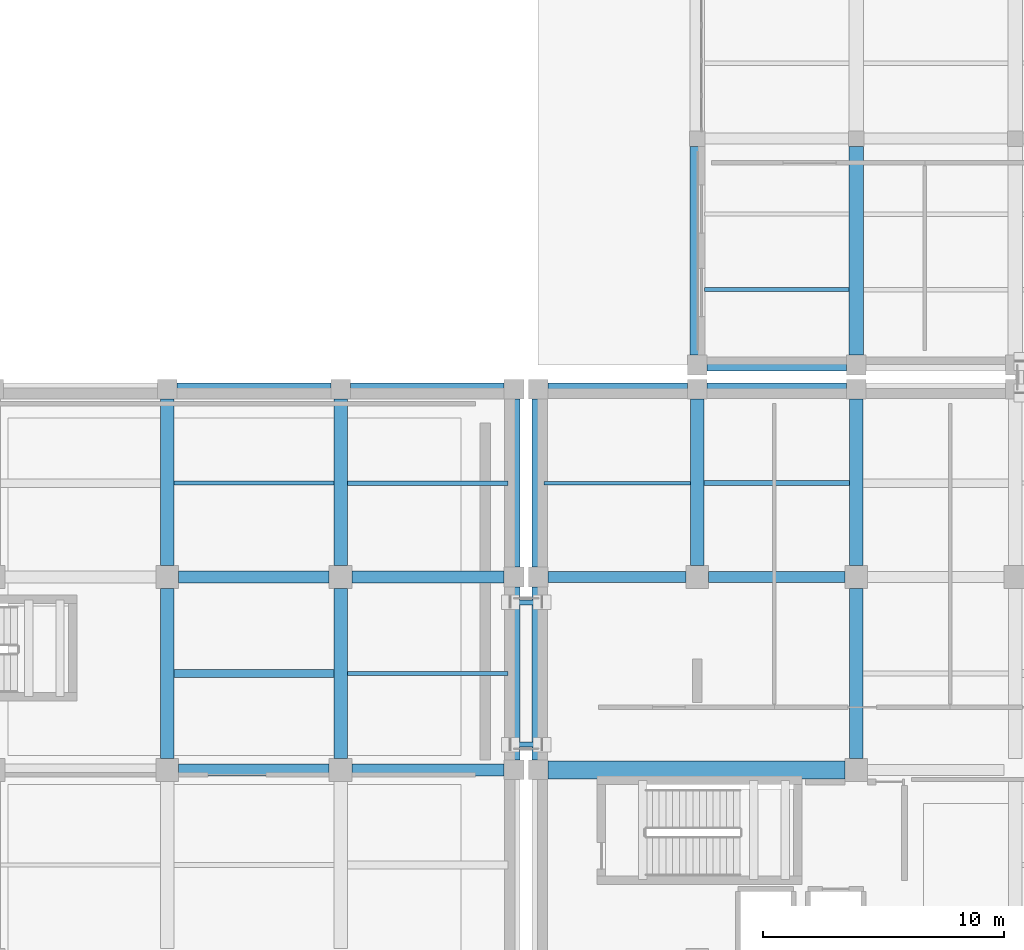
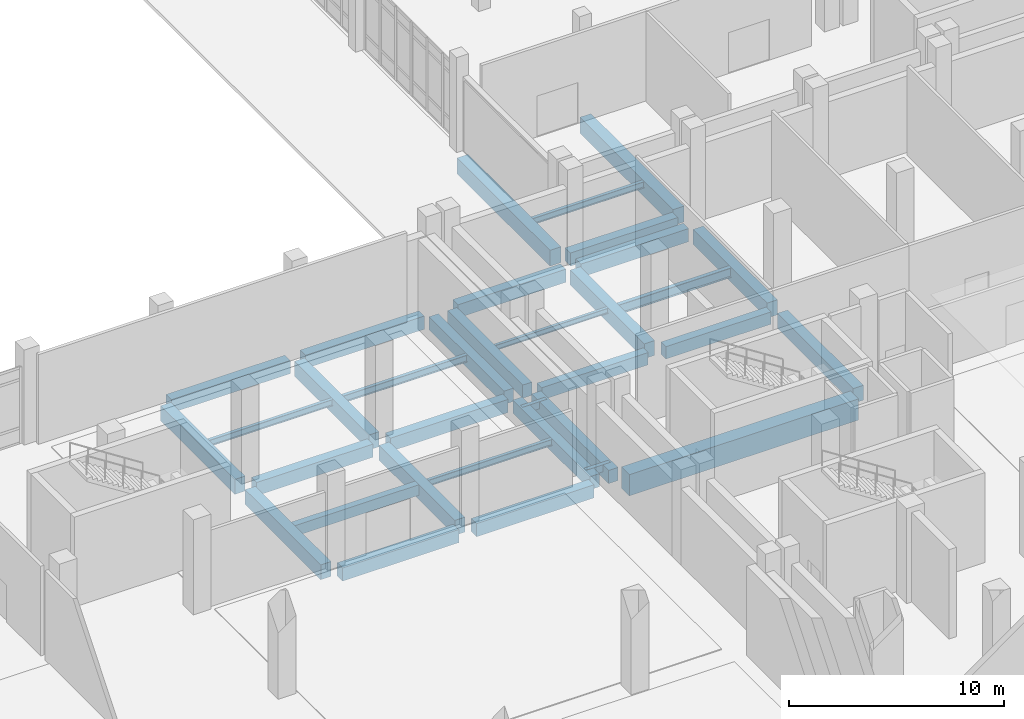
# One storey, part 26 of 79: 34 beams.
"""IFC4 building model written with IfcOpenShell, lengths in metres."""

from ifc_helpers import new_model, si_unit, direction, frame, origin, origin_2d, place, context, subcontext, project, spatial, rectangle, hollow_rectangle, i_section, extrude, material, material_profile, profile_set, type_object, element, save


model = new_model("IFC4")

# Units and contexts
model_context = context("Model", 3, precision=1e-05, world=origin(), true_north=direction((0.0, 1.0)))
body_context = subcontext(model_context, "Body", "Model", "MODEL_VIEW")
ifc_project = project(units=[si_unit("LENGTHUNIT", "METRE"), si_unit("AREAUNIT", "SQUARE_METRE"), si_unit("VOLUMEUNIT", "CUBIC_METRE"), si_unit("PLANEANGLEUNIT", "RADIAN"), si_unit("MASSUNIT", "GRAM", prefix="KILO")], contexts=[model_context])

# Site, building, storey
site_placement = place(None, origin())
site = spatial("IfcSite", under=ifc_project, at=site_placement, CompositionType="ELEMENT")
building_placement = place(site_placement, origin())
building = spatial("IfcBuilding", under=site, at=building_placement, Name="Kelarvand Opera House", CompositionType="ELEMENT")
storey_placement = place(building_placement, origin())
storey = spatial("IfcBuildingStorey", under=building, at=storey_placement, Name="L00", CompositionType="ELEMENT", Elevation=0.0)

# Beams
ifc_material_1 = material(Name="Concrete C35/45", Category="concrete")
ifc_material_profile_1 = material_profile(ifc_material_1, rectangle(XDim=0.35009765625, YDim=0.60009765625, at=origin_2d()), Name="RC 350x600", Category="concrete")
ifc_profile_set_1 = profile_set([ifc_material_profile_1], Name="Concrete C35/45")
beam_type_1 = type_object("IfcBeamType", Name="Structural Beam RC 350x600 BM-RC350x600", PredefinedType="BEAM", material=ifc_profile_set_1)
beam_1_placement = place(storey_placement, frame((73.875, 74.39990234375, -0.6201171875), z_axis=(1.0, 0.0, 0.0), x_axis=(0.0, 1.0, 0.0)))
element("IfcBeam", 1, at=beam_1_placement, inside=storey, type_object=beam_type_1, Name="V2 L00 Beam BM-RC350x600", PredefinedType="BEAM", context=body_context, shape_type="SweptSolid", body=[
    extrude(rectangle(XDim=0.35009765625, YDim=0.60009765625, at=origin_2d()), origin(), (0.0, 0.0, 1.0), 6.64990234375),
])
ifc_material_2 = material(Name="Concrete C40/50", Category="concrete")
ifc_material_profile_2 = material_profile(ifc_material_2, rectangle(XDim=0.449951171875, YDim=0.699951171875, at=origin_2d()), Name="RC 450x700", Category="concrete")
ifc_profile_set_2 = profile_set([ifc_material_profile_2], Name="Concrete C40/50")
beam_type_2 = type_object("IfcBeamType", Name="Structural Beam RC 450x700 BM-RC450x700", PredefinedType="BEAM", material=ifc_profile_set_2)
beam_2_placement = place(storey_placement, frame((89.409912109375, 78.39990234375, -0.669921875), z_axis=(1.0, 0.0, 0.0), x_axis=(0.0, 1.0, 0.0)))
element("IfcBeam", 2, at=beam_2_placement, inside=storey, type_object=beam_type_2, Name="V1 L00 Beam BM-RC450x700", PredefinedType="BEAM", context=body_context, shape_type="SweptSolid", body=[
    extrude(rectangle(XDim=0.449951171875, YDim=0.699951171875, at=origin_2d()), origin(), (0.0, 0.0, 1.0), 5.715087890625),
])
beam_3_placement = place(storey_placement, frame((96.074951171875, 78.39990234375, -0.669921875), z_axis=(1.0, 0.0, 0.0), x_axis=(0.0, 1.0, 0.0)))
element("IfcBeam", 3, at=beam_3_placement, inside=storey, type_object=beam_type_2, Name="V1 L00 Beam BM-RC450x700", PredefinedType="BEAM", context=body_context, shape_type="SweptSolid", body=[
    extrude(rectangle(XDim=0.449951171875, YDim=0.699951171875, at=origin_2d()), origin(), (0.0, 0.0, 1.0), 5.650146484375),
])
ifc_material_profile_3 = material_profile(ifc_material_2, rectangle(XDim=0.5, YDim=0.75, at=origin_2d()), Name="RC 500x750", Category="concrete")
ifc_profile_set_3 = profile_set([ifc_material_profile_3], Name="Concrete C40/50")
beam_type_3 = type_object("IfcBeamType", Name="Structural Beam RC 500x750 BM-RC500x750", PredefinedType="BEAM", material=ifc_profile_set_3)
beam_4_placement = place(storey_placement, frame((74.074951171875, 70.39990234375, -0.695068359375), z_axis=(1.0, 0.0, 0.0), x_axis=(0.0, 1.0, 0.0)))
element("IfcBeam", 4, at=beam_4_placement, inside=storey, type_object=beam_type_3, Name="V2 L00 Beam BM-RC500x750", PredefinedType="BEAM", context=body_context, shape_type="SweptSolid", body=[
    extrude(rectangle(XDim=0.5, YDim=0.75, at=origin_2d()), origin(), (0.0, 0.0, 1.0), 6.25),
])
beam_5_placement = place(storey_placement, frame((81.27490234375, 70.39990234375, -0.695068359375), z_axis=(1.0, 0.0, 0.0), x_axis=(0.0, 1.0, 0.0)))
element("IfcBeam", 5, at=beam_5_placement, inside=storey, type_object=beam_type_3, Name="V2 L00 Beam BM-RC500x750", PredefinedType="BEAM", context=body_context, shape_type="SweptSolid", body=[
    extrude(rectangle(XDim=0.5, YDim=0.75, at=origin_2d()), origin(), (0.0, 0.0, 1.0), 6.315185546875),
])
beam_6_placement = place(storey_placement, frame((74.074951171875, 78.39990234375, -0.695068359375), z_axis=(1.0, 0.0, 0.0), x_axis=(0.0, 1.0, 0.0)))
element("IfcBeam", 6, at=beam_6_placement, inside=storey, type_object=beam_type_3, Name="V2 L00 Beam BM-RC500x750", PredefinedType="BEAM", context=body_context, shape_type="SweptSolid", body=[
    extrude(rectangle(XDim=0.5, YDim=0.75, at=origin_2d()), origin(), (0.0, 0.0, 1.0), 6.25),
])
beam_7_placement = place(storey_placement, frame((81.27490234375, 78.39990234375, -0.695068359375), z_axis=(1.0, 0.0, 0.0), x_axis=(0.0, 1.0, 0.0)))
element("IfcBeam", 7, at=beam_7_placement, inside=storey, type_object=beam_type_3, Name="V2 L00 Beam BM-RC500x750", PredefinedType="BEAM", context=body_context, shape_type="SweptSolid", body=[
    extrude(rectangle(XDim=0.5, YDim=0.75, at=origin_2d()), origin(), (0.0, 0.0, 1.0), 6.315185546875),
])
ifc_material_profile_4 = material_profile(ifc_material_2, rectangle(XDim=0.550048828125, YDim=0.85009765625, at=origin_2d()), Name="RC 550x850", Category="concrete")
ifc_profile_set_4 = profile_set([ifc_material_profile_4], Name="Concrete C40/50")
beam_type_4 = type_object("IfcBeamType", Name="Structural Beam RC 550x850 BM-RC550x850", PredefinedType="BEAM", material=ifc_profile_set_4)
beam_8_placement = place(storey_placement, frame((95.60009765625, 78.875, -0.7451171875), z_axis=(0.0, 1.0, 0.0), x_axis=(-1.0, 0.0, 0.0)))
element("IfcBeam", 8, at=beam_8_placement, inside=storey, type_object=beam_type_4, Name="V1 L00 Beam BM-RC550x850", PredefinedType="BEAM", context=body_context, shape_type="SweptSolid", body=[
    extrude(rectangle(XDim=0.550048828125, YDim=0.85009765625, at=origin_2d()), origin(), (0.0, 0.0, 1.0), 6.9150390625),
])
beam_9_placement = place(storey_placement, frame((102.199951171875, 70.875, -0.7451171875), z_axis=(0.0, 1.0, 0.0), x_axis=(-1.0, 0.0, 0.0)))
element("IfcBeam", 9, at=beam_9_placement, inside=storey, type_object=beam_type_4, Name="V1 L00 Beam BM-RC550x850", PredefinedType="BEAM", context=body_context, shape_type="SweptSolid", body=[
    extrude(rectangle(XDim=0.550048828125, YDim=0.85009765625, at=origin_2d()), origin(), (0.0, 0.0, 1.0), 7.050048828125),
])
beam_10_placement = place(storey_placement, frame((102.199951171875, 78.875, -0.7451171875), z_axis=(0.0, 1.0, 0.0), x_axis=(-1.0, 0.0, 0.0)))
element("IfcBeam", 10, at=beam_10_placement, inside=storey, type_object=beam_type_4, Name="V1 L00 Beam BM-RC550x850", PredefinedType="BEAM", context=body_context, shape_type="SweptSolid", body=[
    extrude(rectangle(XDim=0.550048828125, YDim=0.85009765625, at=origin_2d()), origin(), (0.0, 0.0, 1.0), 6.9150390625),
])
beam_11_placement = place(storey_placement, frame((73.60009765625, 70.875, -0.7451171875), z_axis=(0.0, 1.0, 0.0), x_axis=(-1.0, 0.0, 0.0)))
element("IfcBeam", 11, at=beam_11_placement, inside=storey, type_object=beam_type_4, Name="V2 L00 Beam BM-RC550x850", PredefinedType="BEAM", context=body_context, shape_type="SweptSolid", body=[
    extrude(rectangle(XDim=0.550048828125, YDim=0.85009765625, at=origin_2d()), origin(), (0.0, 0.0, 1.0), 7.050048828125),
])
beam_12_placement = place(storey_placement, frame((73.60009765625, 78.875, -0.7451171875), z_axis=(0.0, 1.0, 0.0), x_axis=(-1.0, 0.0, 0.0)))
element("IfcBeam", 12, at=beam_12_placement, inside=storey, type_object=beam_type_4, Name="V2 L00 Beam BM-RC550x850", PredefinedType="BEAM", context=body_context, shape_type="SweptSolid", body=[
    extrude(rectangle(XDim=0.550048828125, YDim=0.85009765625, at=origin_2d()), origin(), (0.0, 0.0, 1.0), 6.9150390625),
])
beam_13_placement = place(storey_placement, frame((80.800048828125, 70.875, -0.7451171875), z_axis=(0.0, 1.0, 0.0), x_axis=(-1.0, 0.0, 0.0)))
element("IfcBeam", 13, at=beam_13_placement, inside=storey, type_object=beam_type_4, Name="V2 L00 Beam BM-RC550x850", PredefinedType="BEAM", context=body_context, shape_type="SweptSolid", body=[
    extrude(rectangle(XDim=0.550048828125, YDim=0.85009765625, at=origin_2d()), origin(), (0.0, 0.0, 1.0), 7.050048828125),
])
beam_14_placement = place(storey_placement, frame((80.800048828125, 78.875, -0.7451171875), z_axis=(0.0, 1.0, 0.0), x_axis=(-1.0, 0.0, 0.0)))
element("IfcBeam", 14, at=beam_14_placement, inside=storey, type_object=beam_type_4, Name="V2 L00 Beam BM-RC550x850", PredefinedType="BEAM", context=body_context, shape_type="SweptSolid", body=[
    extrude(rectangle(XDim=0.550048828125, YDim=0.85009765625, at=origin_2d()), origin(), (0.0, 0.0, 1.0), 6.9150390625),
])
ifc_material_profile_5 = material_profile(ifc_material_2, rectangle(XDim=0.60009765625, YDim=0.89990234375, at=origin_2d()), Name="RC 600x900", Category="concrete")
ifc_profile_set_5 = profile_set([ifc_material_profile_5], Name="Concrete C40/50")
beam_type_5 = type_object("IfcBeamType", Name="Structural Beam RC 600x900 BM-RC600x900", PredefinedType="BEAM", material=ifc_profile_set_5)
beam_15_placement = place(storey_placement, frame((102.199951171875, 87.610107421875, -0.75), z_axis=(0.0, 1.0, 0.0), x_axis=(-1.0, 0.0, 0.0)))
element("IfcBeam", 15, at=beam_15_placement, inside=storey, type_object=beam_type_5, Name="V5 L00 Beam BM-RC600x900", PredefinedType="BEAM", context=body_context, shape_type="SweptSolid", body=[
    extrude(rectangle(XDim=0.60009765625, YDim=0.89990234375, at=origin_2d()), origin(), (0.0, 0.0, 1.0), 8.664794921875),
])
ifc_material_profile_6 = material_profile(ifc_material_2, rectangle(XDim=0.75, YDim=1.199951171875, at=origin_2d()), Name="RC 750x1200", Category="concrete")
ifc_profile_set_6 = profile_set([ifc_material_profile_6], Name="Concrete C40/50")
beam_type_6 = type_object("IfcBeamType", Name="Structural Beam RC 750x1200 BM-RC750x1200", PredefinedType="BEAM", material=ifc_profile_set_6)
beam_16_placement = place(storey_placement, frame((89.409912109375, 70.39990234375, -0.919921875), z_axis=(1.0, 0.0, 0.0), x_axis=(0.0, 1.0, 0.0)))
element("IfcBeam", 16, at=beam_16_placement, inside=storey, type_object=beam_type_6, Name="V1 L00 Beam BM-RC750x1200", PredefinedType="BEAM", context=body_context, shape_type="SweptSolid", body=[
    extrude(rectangle(XDim=0.75, YDim=1.199951171875, at=origin_2d()), origin(), (0.0, 0.0, 1.0), 12.315185546875),
])
ifc_material_3 = material(Name="Steel S355", Category="steel")
ifc_material_profile_7 = material_profile(ifc_material_3, hollow_rectangle(XDim=0.199951171875, YDim=0.39990234375, WallThickness=0.01611328125, at=origin_2d()), Name="RHS 400x200x16.0", Category="steel")
ifc_profile_set_7 = profile_set([ifc_material_profile_7], Name="Steel S355")
beam_type_7 = type_object("IfcBeamType", Name="Structural Beam RHS 400x200x16.0 BM-RHS400", PredefinedType="BEAM", material=ifc_profile_set_7)
for number, where, z_axis, x_axis, name in (
    (17, (87.85009765625, 71.449951171875, -0.52001953125), (1.0, 0.0, 0.0), (0.0, 1.0, 0.0), "Seismic Sliding Corbel Beam BR-JP-N L00 1"),
    (18, (87.85009765625, 77.35009765625, -0.52001953125), (1.0, 0.0, 0.0), (0.0, 1.0, 0.0), "Seismic Sliding Corbel Beam BR-JP-N L00 2"),
):
    element("IfcBeam", number, at=place(storey_placement, frame(where, z_axis=z_axis, x_axis=x_axis)), inside=storey, type_object=beam_type_7, Name=name, PredefinedType="BEAM", context=body_context, shape_type="SweptSolid", body=[
        extrude(hollow_rectangle(XDim=0.199951171875, YDim=0.39990234375, WallThickness=0.01611328125, at=origin_2d()), origin(), (0.0, 0.0, 1.0), 1.2998046875),
    ])
ifc_material_profile_8 = material_profile(ifc_material_3, i_section(OverallWidth=0.14990234375, OverallDepth=0.300048828125, WebThickness=0.007080078125, FlangeThickness=0.0107421875, at=origin_2d()), Name="IPE 300", Category="steel")
ifc_profile_set_8 = profile_set([ifc_material_profile_8], Name="Steel S355")
beam_type_8 = type_object("IfcBeamType", Name="Structural Joist IPE 300 JS-IPE300", PredefinedType="JOIST", material=ifc_profile_set_8)
beam_17_placement = place(storey_placement, frame((89.25, 82.300048828125, -0.469970703125), z_axis=(1.0, 0.0, 0.0), x_axis=(0.0, 1.0, 0.0)))
element("IfcBeam", 19, at=beam_17_placement, inside=storey, type_object=beam_type_8, Name="V1 L00 Beam JS-IPE300", PredefinedType="JOIST", context=body_context, shape_type="SweptSolid", body=[
    extrude(i_section(OverallWidth=0.14990234375, OverallDepth=0.300048828125, WebThickness=0.007080078125, FlangeThickness=0.0107421875, at=origin_2d()), origin(), (0.0, 0.0, 1.0), 6.074951171875),
])
ifc_material_profile_9 = material_profile(ifc_material_3, i_section(OverallWidth=0.169921875, OverallDepth=0.360107421875, WebThickness=0.008056640625, FlangeThickness=0.0126953125, at=origin_2d()), Name="IPE 360", Category="steel")
ifc_profile_set_9 = profile_set([ifc_material_profile_9], Name="Steel S355")
beam_type_9 = type_object("IfcBeamType", Name="Structural Joist IPE 360 JS-IPE360", PredefinedType="JOIST", material=ifc_profile_set_9)
beam_18_placement = place(storey_placement, frame((73.875, 82.300048828125, -0.5), z_axis=(1.0, 0.0, 0.0), x_axis=(0.0, 1.0, 0.0)))
element("IfcBeam", 20, at=beam_18_placement, inside=storey, type_object=beam_type_9, Name="V2 L00 Beam JS-IPE360", PredefinedType="JOIST", context=body_context, shape_type="SweptSolid", body=[
    extrude(i_section(OverallWidth=0.169921875, OverallDepth=0.360107421875, WebThickness=0.008056640625, FlangeThickness=0.0126953125, at=origin_2d()), origin(), (0.0, 0.0, 1.0), 6.64990234375),
])
beam_19_placement = place(storey_placement, frame((81.074951171875, 74.39990234375, -0.5), z_axis=(1.0, 0.0, 0.0), x_axis=(0.0, 1.0, 0.0)))
element("IfcBeam", 21, at=beam_19_placement, inside=storey, type_object=beam_type_9, Name="V2 L00 Beam JS-IPE360", PredefinedType="JOIST", context=body_context, shape_type="SweptSolid", body=[
    extrude(i_section(OverallWidth=0.169921875, OverallDepth=0.360107421875, WebThickness=0.008056640625, FlangeThickness=0.0126953125, at=origin_2d()), origin(), (0.0, 0.0, 1.0), 6.675048828125),
])
beam_20_placement = place(storey_placement, frame((95.89990234375, 90.333251953125, -0.47998046875), z_axis=(1.0, 0.0, 0.0), x_axis=(0.0, 1.0, 0.0)))
element("IfcBeam", 22, at=beam_20_placement, inside=storey, type_object=beam_type_9, Name="V5 L00 Beam JS-IPE360", PredefinedType="JOIST", context=body_context, shape_type="SweptSolid", body=[
    extrude(i_section(OverallWidth=0.169921875, OverallDepth=0.360107421875, WebThickness=0.008056640625, FlangeThickness=0.0126953125, at=origin_2d()), origin(), (0.0, 0.0, 1.0), 6.0),
])
ifc_material_profile_10 = material_profile(ifc_material_3, i_section(OverallWidth=0.179931640625, OverallDepth=0.39990234375, WebThickness=0.008544921875, FlangeThickness=0.013427734375, at=origin_2d()), Name="IPE 400", Category="steel")
ifc_profile_set_10 = profile_set([ifc_material_profile_10], Name="Steel S355")
beam_type_10 = type_object("IfcBeamType", Name="Structural Joist IPE 400 JS-IPE400", PredefinedType="JOIST", material=ifc_profile_set_10)
beam_21_placement = place(storey_placement, frame((81.074951171875, 82.300048828125, -0.52001953125), z_axis=(1.0, 0.0, 0.0), x_axis=(0.0, 1.0, 0.0)))
element("IfcBeam", 23, at=beam_21_placement, inside=storey, type_object=beam_type_10, Name="V2 L00 Beam JS-IPE400", PredefinedType="JOIST", context=body_context, shape_type="SweptSolid", body=[
    extrude(i_section(OverallWidth=0.179931640625, OverallDepth=0.39990234375, WebThickness=0.008544921875, FlangeThickness=0.013427734375, at=origin_2d()), origin(), (0.0, 0.0, 1.0), 6.675048828125),
])
ifc_material_profile_11 = material_profile(ifc_material_3, i_section(OverallWidth=0.2099609375, OverallDepth=0.550048828125, WebThickness=0.010986328125, FlangeThickness=0.01708984375, at=origin_2d()), Name="IPE 550", Category="steel")
ifc_profile_set_11 = profile_set([ifc_material_profile_11], Name="Steel S355")
beam_type_11 = type_object("IfcBeamType", Name="Structural Joist IPE 550 JS-IPE550", PredefinedType="JOIST", material=ifc_profile_set_11)
beam_22_placement = place(storey_placement, frame((95.875, 82.300048828125, -0.594970703125), z_axis=(1.0, 0.0, 0.0), x_axis=(0.0, 1.0, 0.0)))
element("IfcBeam", 24, at=beam_22_placement, inside=storey, type_object=beam_type_11, Name="V1 L00 Beam JS-IPE550", PredefinedType="JOIST", context=body_context, shape_type="SweptSolid", body=[
    extrude(i_section(OverallWidth=0.2099609375, OverallDepth=0.550048828125, WebThickness=0.010986328125, FlangeThickness=0.01708984375, at=origin_2d()), origin(), (0.0, 0.0, 1.0), 6.050048828125),
])
ifc_material_profile_12 = material_profile(ifc_material_2, rectangle(XDim=0.5, YDim=0.75, at=origin_2d()), Name="RC 500x750", Category="concrete")
ifc_profile_set_12 = profile_set([ifc_material_profile_12], Name="Concrete C40/50")
beam_type_12 = type_object("IfcBeamType", Name="Structural Spandrel RC 500x750 SP-RC500x750E", PredefinedType="SPANDREL", material=ifc_profile_set_12)
for number, where, z_axis, x_axis, name in (
    (25, (89.409912109375, 86.199951171875, -0.695068359375), (1.0, 0.0, 0.0), (0.0, 1.0, 0.0), "V1 L00 Beam SP-RC500x750E"),
    (26, (96.010009765625, 86.199951171875, -0.695068359375), (1.0, 0.0, 0.0), (0.0, 1.0, 0.0), "V1 L00 Beam SP-RC500x750E"),
):
    element("IfcBeam", number, at=place(storey_placement, frame(where, z_axis=z_axis, x_axis=x_axis)), inside=storey, type_object=beam_type_12, Name=name, PredefinedType="SPANDREL", context=body_context, shape_type="SweptSolid", body=[
        extrude(rectangle(XDim=0.5, YDim=0.75, at=origin_2d()), origin(), (0.0, 0.0, 1.0), 5.780029296875),
    ])
beam_23_placement = place(storey_placement, frame((89.0, 70.81005859375, -0.695068359375), z_axis=(0.0, 1.0, 0.0), x_axis=(-1.0, 0.0, 0.0)))
element("IfcBeam", 27, at=beam_23_placement, inside=storey, type_object=beam_type_12, Name="V1 L00 Beam SP-RC500x750E", PredefinedType="SPANDREL", context=body_context, shape_type="SweptSolid", body=[
    extrude(rectangle(XDim=0.5, YDim=0.75, at=origin_2d()), origin(), (0.0, 0.0, 1.0), 7.179931640625),
])
beam_24_placement = place(storey_placement, frame((89.0, 78.81005859375, -0.695068359375), z_axis=(0.0, 1.0, 0.0), x_axis=(-1.0, 0.0, 0.0)))
element("IfcBeam", 28, at=beam_24_placement, inside=storey, type_object=beam_type_12, Name="V1 L00 Beam SP-RC500x750E", PredefinedType="SPANDREL", context=body_context, shape_type="SweptSolid", body=[
    extrude(rectangle(XDim=0.5, YDim=0.75, at=origin_2d()), origin(), (0.0, 0.0, 1.0), 6.97998046875),
])
beam_25_placement = place(storey_placement, frame((74.010009765625, 86.199951171875, -0.695068359375), z_axis=(1.0, 0.0, 0.0), x_axis=(0.0, 1.0, 0.0)))
element("IfcBeam", 29, at=beam_25_placement, inside=storey, type_object=beam_type_12, Name="V2 L00 Beam SP-RC500x750E", PredefinedType="SPANDREL", context=body_context, shape_type="SweptSolid", body=[
    extrude(rectangle(XDim=0.5, YDim=0.75, at=origin_2d()), origin(), (0.0, 0.0, 1.0), 6.3798828125),
])
beam_26_placement = place(storey_placement, frame((81.2099609375, 86.199951171875, -0.695068359375), z_axis=(1.0, 0.0, 0.0), x_axis=(0.0, 1.0, 0.0)))
element("IfcBeam", 30, at=beam_26_placement, inside=storey, type_object=beam_type_12, Name="V2 L00 Beam SP-RC500x750E", PredefinedType="SPANDREL", context=body_context, shape_type="SweptSolid", body=[
    extrude(rectangle(XDim=0.5, YDim=0.75, at=origin_2d()), origin(), (0.0, 0.0, 1.0), 6.380126953125),
])
beam_27_placement = place(storey_placement, frame((88.0, 70.81005859375, -0.695068359375), z_axis=(0.0, 1.0, 0.0), x_axis=(-1.0, 0.0, 0.0)))
element("IfcBeam", 31, at=beam_27_placement, inside=storey, type_object=beam_type_12, Name="V2 L00 Beam SP-RC500x750E", PredefinedType="SPANDREL", context=body_context, shape_type="SweptSolid", body=[
    extrude(rectangle(XDim=0.5, YDim=0.75, at=origin_2d()), origin(), (0.0, 0.0, 1.0), 7.179931640625),
])
beam_28_placement = place(storey_placement, frame((88.0, 78.81005859375, -0.695068359375), z_axis=(0.0, 1.0, 0.0), x_axis=(-1.0, 0.0, 0.0)))
element("IfcBeam", 32, at=beam_28_placement, inside=storey, type_object=beam_type_12, Name="V2 L00 Beam SP-RC500x750E", PredefinedType="SPANDREL", context=body_context, shape_type="SweptSolid", body=[
    extrude(rectangle(XDim=0.5, YDim=0.75, at=origin_2d()), origin(), (0.0, 0.0, 1.0), 6.97998046875),
])
beam_29_placement = place(storey_placement, frame((96.010009765625, 87.199951171875, -0.675048828125), z_axis=(1.0, 0.0, 0.0), x_axis=(0.0, 1.0, 0.0)))
element("IfcBeam", 33, at=beam_29_placement, inside=storey, type_object=beam_type_12, Name="V5 L00 Beam SP-RC500x750E", PredefinedType="SPANDREL", context=body_context, shape_type="SweptSolid", body=[
    extrude(rectangle(XDim=0.5, YDim=0.75, at=origin_2d()), origin(), (0.0, 0.0, 1.0), 5.780029296875),
])
ifc_material_profile_13 = material_profile(ifc_material_2, rectangle(XDim=0.60009765625, YDim=0.89990234375, at=origin_2d()), Name="RC 600x900", Category="concrete")
ifc_profile_set_13 = profile_set([ifc_material_profile_13], Name="Concrete C40/50")
beam_type_13 = type_object("IfcBeamType", Name="Structural Spandrel RC 600x900 SP-RC600x900E", PredefinedType="SPANDREL", material=ifc_profile_set_13)
beam_30_placement = place(storey_placement, frame((95.60009765625, 87.610107421875, -0.75), z_axis=(0.0, 1.0, 0.0), x_axis=(-1.0, 0.0, 0.0)))
element("IfcBeam", 34, at=beam_30_placement, inside=storey, type_object=beam_type_13, Name="V5 L00 Beam SP-RC600x900E", PredefinedType="SPANDREL", context=body_context, shape_type="SweptSolid", body=[
    extrude(rectangle(XDim=0.60009765625, YDim=0.89990234375, at=origin_2d()), origin(), (0.0, 0.0, 1.0), 8.664794921875),
])

save(model, "model.ifc")
